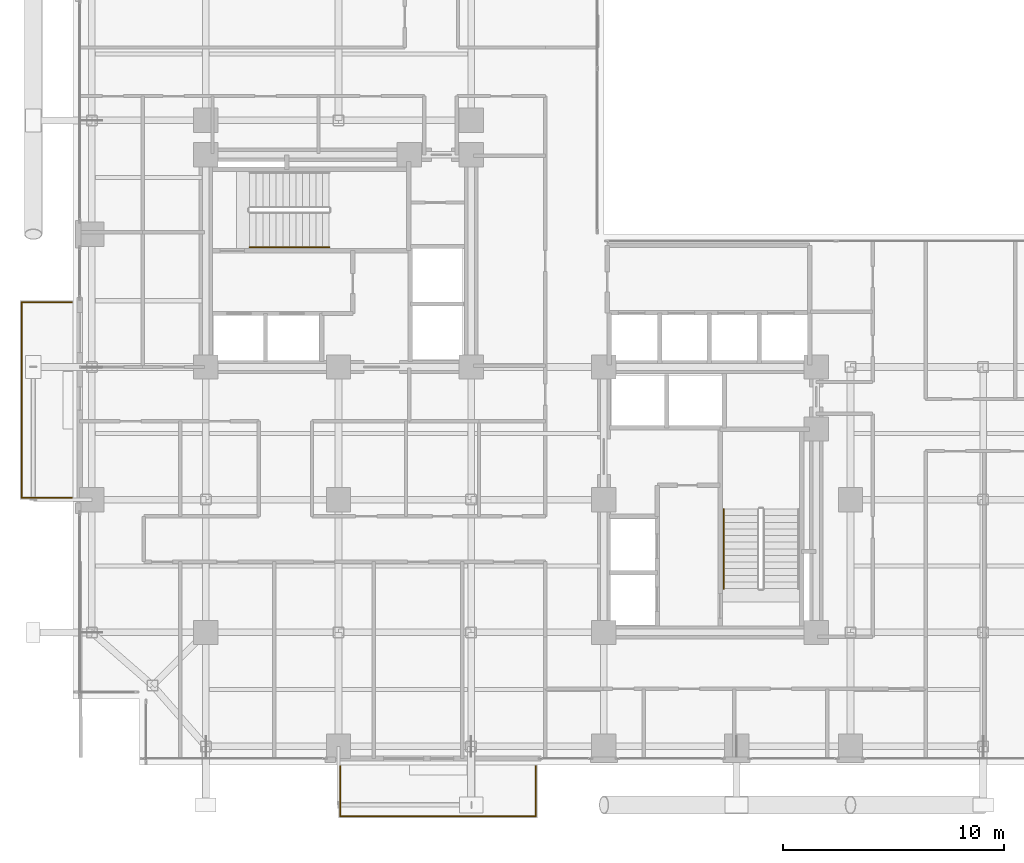
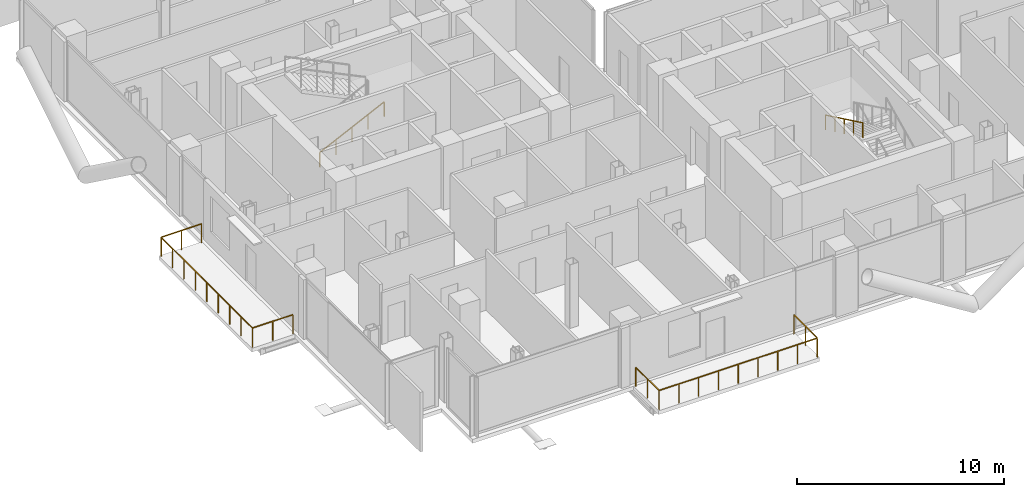
# One storey, part 23 of 24: 4 railings.
"""IFC4 building model written with IfcOpenShell, lengths in metres."""

from ifc_helpers import new_model, si_unit, direction, frame, origin, origin_2d, place, context, subcontext, project, spatial, rectangle, extrude, material, type_object, element, save


model = new_model("IFC4")

# Units and contexts
model_context = context("Model", 3, precision=1e-05, world=origin(), true_north=direction((0.0, 1.0)))
body_context = subcontext(model_context, "Body", "Model", "MODEL_VIEW")
ifc_project = project(units=[si_unit("LENGTHUNIT", "METRE"), si_unit("AREAUNIT", "SQUARE_METRE"), si_unit("VOLUMEUNIT", "CUBIC_METRE"), si_unit("PLANEANGLEUNIT", "RADIAN"), si_unit("MASSUNIT", "GRAM", prefix="KILO"), si_unit("THERMODYNAMICTEMPERATUREUNIT", "KELVIN"), si_unit("POWERUNIT", "WATT")], contexts=[model_context])

# Site, building, storey
site_placement = place(None, origin())
site = spatial("IfcSite", under=ifc_project, at=site_placement, CompositionType="ELEMENT")
building_placement = place(site_placement, origin())
building = spatial("IfcBuilding", under=site, at=building_placement, Name="Svarakhadi Broadcast Tower", CompositionType="ELEMENT")
storey_placement = place(building_placement, frame((0.0, 0.0, 156.89990234375)))
storey = spatial("IfcBuildingStorey", under=building, at=storey_placement, Name="L38", CompositionType="ELEMENT", Elevation=156.89990234375)

# Railings
ifc_material_1 = material(Name="Laminated Structural SentryGlas Balustrade 25.5 mm", Category="glass")
railing_type_1 = type_object("IfcRailingType", Name="Guard_Balcony_GR01", PredefinedType="BALUSTRADE", material=ifc_material_1)
railing_1_placement = place(storey_placement, frame((12.080078125, -0.06005859375, 0.0)))
element("IfcRailing", 1, at=railing_1_placement, inside=storey, type_object=railing_type_1, Name="L38 South Tree Balcony Guard GR-05", PredefinedType="BALUSTRADE", context=body_context, shape_type="SweptSolid", body=[
    extrude(rectangle(XDim=0.048095703125, YDim=0.048095703125, at=origin_2d()), frame((0.0, 0.0, 1.1259765625), z_axis=(0.0, -1.0, 0.0), x_axis=(1.0, 0.0, 0.0)), (0.0, 0.0, 1.0), 2.260009765625),
    extrude(rectangle(XDim=0.048095703125, YDim=0.048095703125, at=origin_2d()), frame((0.0, -2.260009765625, 1.1259765625), z_axis=(1.0, 0.0, 0.0), x_axis=(0.0, 1.0, 0.0)), (0.0, 0.0, 1.0), 8.83984375),
    extrude(rectangle(XDim=0.048095703125, YDim=0.048095703125, at=origin_2d()), frame((8.83984375, -2.260009765625, 1.1259765625), z_axis=(0.0, 1.0, 0.0), x_axis=(-1.0, 0.0, 0.0)), (0.0, 0.0, 1.0), 2.260009765625),
    extrude(rectangle(XDim=0.0419921875, YDim=0.0419921875, at=origin_2d()), origin(), (0.0, 0.0, 1.0), 1.101806640625),
    extrude(rectangle(XDim=0.0419921875, YDim=0.0419921875, at=origin_2d()), frame((0.0, -1.1298828125, 0.0)), (0.0, 0.0, 1.0), 1.101806640625),
    extrude(rectangle(XDim=0.0419921875, YDim=0.0419921875, at=origin_2d()), frame((0.0, -2.260009765625, 0.0)), (0.0, 0.0, 1.0), 1.101806640625),
    extrude(rectangle(XDim=0.0419921875, YDim=0.0419921875, at=origin_2d()), frame((1.10498046875, -2.260009765625, 0.0)), (0.0, 0.0, 1.0), 1.101806640625),
    extrude(rectangle(XDim=0.0419921875, YDim=0.0419921875, at=origin_2d()), frame((2.2099609375, -2.260009765625, 0.0)), (0.0, 0.0, 1.0), 1.101806640625),
    extrude(rectangle(XDim=0.0419921875, YDim=0.0419921875, at=origin_2d()), frame((3.31494140625, -2.260009765625, 0.0)), (0.0, 0.0, 1.0), 1.101806640625),
    extrude(rectangle(XDim=0.0419921875, YDim=0.0419921875, at=origin_2d()), frame((4.419921875, -2.260009765625, 0.0)), (0.0, 0.0, 1.0), 1.101806640625),
    extrude(rectangle(XDim=0.0419921875, YDim=0.0419921875, at=origin_2d()), frame((5.52490234375, -2.260009765625, 0.0)), (0.0, 0.0, 1.0), 1.101806640625),
    extrude(rectangle(XDim=0.0419921875, YDim=0.0419921875, at=origin_2d()), frame((6.6298828125, -2.260009765625, 0.0)), (0.0, 0.0, 1.0), 1.101806640625),
    extrude(rectangle(XDim=0.0419921875, YDim=0.0419921875, at=origin_2d()), frame((7.73486328125, -2.260009765625, 0.0)), (0.0, 0.0, 1.0), 1.101806640625),
    extrude(rectangle(XDim=0.0419921875, YDim=0.0419921875, at=origin_2d()), frame((8.83984375, -2.260009765625, 0.0)), (0.0, 0.0, 1.0), 1.101806640625),
    extrude(rectangle(XDim=0.0419921875, YDim=0.0419921875, at=origin_2d()), frame((8.83984375, -1.1298828125, 0.0)), (0.0, 0.0, 1.0), 1.101806640625),
    extrude(rectangle(XDim=0.0419921875, YDim=0.0419921875, at=origin_2d()), frame((8.83984375, 0.0, 0.0)), (0.0, 0.0, 1.0), 1.101806640625),
])
railing_2_placement = place(storey_placement, frame((-0.06005859375, 12.080078125, 0.0)))
element("IfcRailing", 2, at=railing_2_placement, inside=storey, type_object=railing_type_1, Name="L38 West Tree Balcony Guard GR-05", PredefinedType="BALUSTRADE", context=body_context, shape_type="SweptSolid", body=[
    extrude(rectangle(XDim=0.048095703125, YDim=0.048095703125, at=origin_2d()), frame((0.0, 0.0, 1.1259765625), z_axis=(-1.0, 0.0, 0.0), x_axis=(0.0, -1.0, 0.0)), (0.0, 0.0, 1.0), 2.260009765625),
    extrude(rectangle(XDim=0.048095703125, YDim=0.048095703125, at=origin_2d()), frame((-2.260009765625, 0.0, 1.1259765625), z_axis=(0.0, 1.0, 0.0), x_axis=(-1.0, 0.0, 0.0)), (0.0, 0.0, 1.0), 8.83984375),
    extrude(rectangle(XDim=0.048095703125, YDim=0.048095703125, at=origin_2d()), frame((-2.260009765625, 8.83984375, 1.1259765625), z_axis=(1.0, 0.0, 0.0), x_axis=(0.0, 1.0, 0.0)), (0.0, 0.0, 1.0), 2.260009765625),
    extrude(rectangle(XDim=0.0419921875, YDim=0.0419921875, at=origin_2d()), origin(), (0.0, 0.0, 1.0), 1.101806640625),
    extrude(rectangle(XDim=0.0419921875, YDim=0.0419921875, at=origin_2d()), frame((-1.1298828125, 0.0, 0.0)), (0.0, 0.0, 1.0), 1.101806640625),
    extrude(rectangle(XDim=0.0419921875, YDim=0.0419921875, at=origin_2d()), frame((-2.260009765625, 0.0, 0.0)), (0.0, 0.0, 1.0), 1.101806640625),
    extrude(rectangle(XDim=0.0419921875, YDim=0.0419921875, at=origin_2d()), frame((-2.260009765625, 1.10498046875, 0.0)), (0.0, 0.0, 1.0), 1.101806640625),
    extrude(rectangle(XDim=0.0419921875, YDim=0.0419921875, at=origin_2d()), frame((-2.260009765625, 2.2099609375, 0.0)), (0.0, 0.0, 1.0), 1.101806640625),
    extrude(rectangle(XDim=0.0419921875, YDim=0.0419921875, at=origin_2d()), frame((-2.260009765625, 3.31494140625, 0.0)), (0.0, 0.0, 1.0), 1.101806640625),
    extrude(rectangle(XDim=0.0419921875, YDim=0.0419921875, at=origin_2d()), frame((-2.260009765625, 4.419921875, 0.0)), (0.0, 0.0, 1.0), 1.101806640625),
    extrude(rectangle(XDim=0.0419921875, YDim=0.0419921875, at=origin_2d()), frame((-2.260009765625, 5.52490234375, 0.0)), (0.0, 0.0, 1.0), 1.101806640625),
    extrude(rectangle(XDim=0.0419921875, YDim=0.0419921875, at=origin_2d()), frame((-2.260009765625, 6.6298828125, 0.0)), (0.0, 0.0, 1.0), 1.101806640625),
    extrude(rectangle(XDim=0.0419921875, YDim=0.0419921875, at=origin_2d()), frame((-2.260009765625, 7.73486328125, 0.0)), (0.0, 0.0, 1.0), 1.101806640625),
    extrude(rectangle(XDim=0.0419921875, YDim=0.0419921875, at=origin_2d()), frame((-2.260009765625, 8.83984375, 0.0)), (0.0, 0.0, 1.0), 1.101806640625),
    extrude(rectangle(XDim=0.0419921875, YDim=0.0419921875, at=origin_2d()), frame((-1.1298828125, 8.83984375, 0.0)), (0.0, 0.0, 1.0), 1.101806640625),
    extrude(rectangle(XDim=0.0419921875, YDim=0.0419921875, at=origin_2d()), frame((0.0, 8.83984375, 0.0)), (0.0, 0.0, 1.0), 1.101806640625),
])
ifc_material_2 = material(Name="Anodised Bronze Aluminium AA 6063-T6", Category="aluminium")
railing_type_2 = type_object("IfcRailingType", Name="Handrail_Stair_HR01", PredefinedType="HANDRAIL", material=ifc_material_2)
railing_3_placement = place(storey_placement, frame((7.97998046875, 23.409912109375, 0.144287109375)))
element("IfcRailing", 3, at=railing_3_placement, inside=storey, type_object=railing_type_2, Name="L38 ST-01 stair handrail 1", PredefinedType="HANDRAIL", context=body_context, shape_type="SweptSolid", body=[
    extrude(rectangle(XDim=0.048095703125, YDim=0.048095703125, at=origin_2d()), frame((0.0, 0.0, 0.8759765625), z_axis=(0.901262522062, 0.0, 0.433273431364), x_axis=(0.0, 1.0, 0.0)), (0.0, 0.0, 1.0), 3.994384765625),
    extrude(rectangle(XDim=0.0419921875, YDim=0.0419921875, at=origin_2d()), origin(), (0.0, 0.0, 1.0), 0.851806640625),
    extrude(rectangle(XDim=0.0419921875, YDim=0.0419921875, at=origin_2d()), frame((0.89990234375, 0.0, 0.4326171875)), (0.0, 0.0, 1.0), 0.851806640625),
    extrude(rectangle(XDim=0.0419921875, YDim=0.0419921875, at=origin_2d()), frame((1.800048828125, 0.0, 0.865234375)), (0.0, 0.0, 1.0), 0.851806640625),
    extrude(rectangle(XDim=0.0419921875, YDim=0.0419921875, at=origin_2d()), frame((2.7001953125, 0.0, 1.298095703125)), (0.0, 0.0, 1.0), 0.851806640625),
    extrude(rectangle(XDim=0.0419921875, YDim=0.0419921875, at=origin_2d()), frame((3.60009765625, 0.0, 1.730712890625)), (0.0, 0.0, 1.0), 0.851806640625),
])
railing_4_placement = place(storey_placement, frame((29.409912109375, 11.580078125, 2.019287109375)))
element("IfcRailing", 4, at=railing_4_placement, inside=storey, type_object=railing_type_2, Name="L38 ST-02 stair handrail 2", PredefinedType="HANDRAIL", context=body_context, shape_type="SweptSolid", body=[
    extrude(rectangle(XDim=0.048095703125, YDim=0.048095703125, at=origin_2d()), frame((0.0, 0.0, 0.8759765625), z_axis=(0.0, -0.901262522062, 0.433273431364), x_axis=(1.0, 0.0, 0.0)), (0.0, 0.0, 1.0), 3.994384765625),
    extrude(rectangle(XDim=0.0419921875, YDim=0.0419921875, at=origin_2d()), origin(), (0.0, 0.0, 1.0), 0.851806640625),
    extrude(rectangle(XDim=0.0419921875, YDim=0.0419921875, at=origin_2d()), frame((0.0, -0.89990234375, 0.4326171875)), (0.0, 0.0, 1.0), 0.851806640625),
    extrude(rectangle(XDim=0.0419921875, YDim=0.0419921875, at=origin_2d()), frame((0.0, -1.800048828125, 0.865234375)), (0.0, 0.0, 1.0), 0.851806640625),
    extrude(rectangle(XDim=0.0419921875, YDim=0.0419921875, at=origin_2d()), frame((0.0, -2.7001953125, 1.298095703125)), (0.0, 0.0, 1.0), 0.851806640625),
    extrude(rectangle(XDim=0.0419921875, YDim=0.0419921875, at=origin_2d()), frame((0.0, -3.60009765625, 1.730712890625)), (0.0, 0.0, 1.0), 0.851806640625),
])

save(model, "model.ifc")
